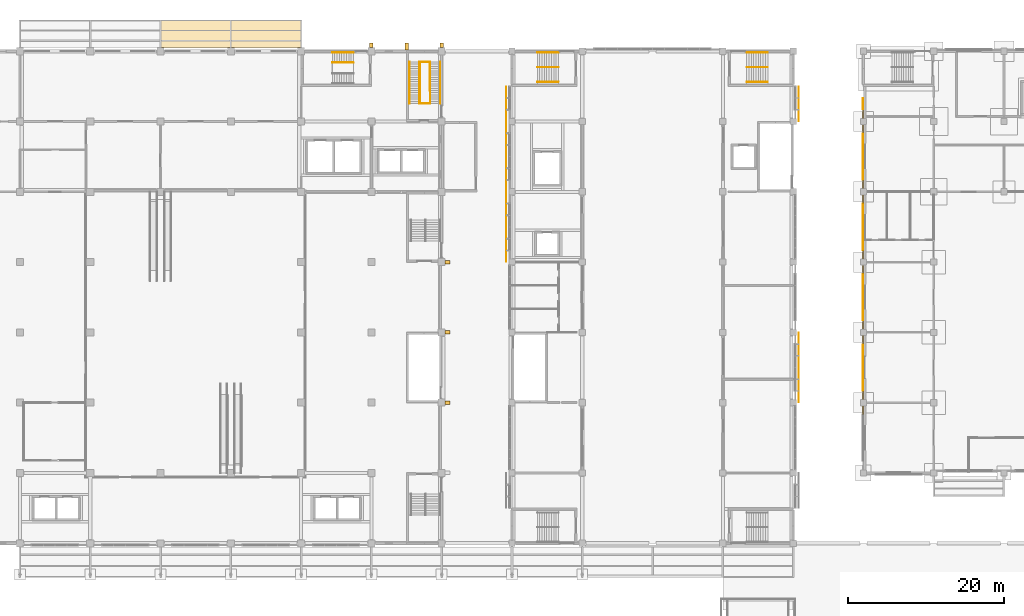
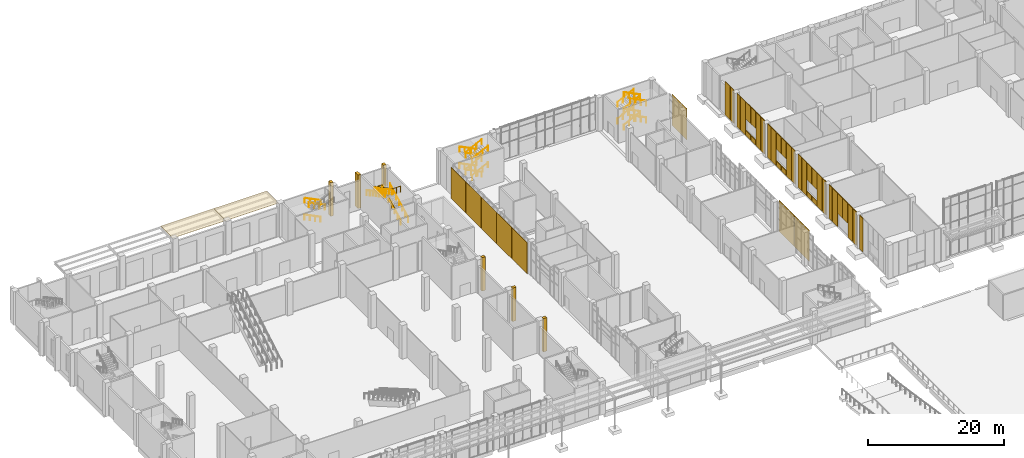
# One storey, part 80 of 86: 49 coverings, 24 railings.
"""IFC4 building model written with IfcOpenShell, lengths in metres."""

import ifcopenshell
import ifcopenshell.guid

model = None  # the IFC model being written
_history = None  # IfcOwnerHistory: only IFC2X3 demands one
_inside = {}  # id of a spatial element -> (the spatial element, [elements in it])
_under = {}  # id of a project, library or spatial element -> (it, [spatial elements below it])
_declared = {}  # id of a project -> (the project, [libraries it declares])
_typed = {}  # id of a type object -> (the type object, [elements of that type])
_made_of = {}  # id of a material, layer set ... -> (it, [elements and type objects made of it])


def new_model(schema):
    """Start an empty IFC model of exactly this schema.

    Asked for "IFC4X3", IfcOpenShell would pick the latest addendum, in which some entities
    have other attributes; the version numbers below select the first issue.
    IFC2X3 requires an IfcOwnerHistory on every rooted entity: one is made here for all.
    """
    global model, _history
    if schema == "IFC4X3":
        model = ifcopenshell.file(schema_version=(4, 3, 0, 0))
    else:
        model = ifcopenshell.file(schema=schema)
    _inside.clear()
    _under.clear()
    _declared.clear()
    _typed.clear()
    _made_of.clear()
    _history = None
    if model.schema == "IFC2X3":
        org = make("IfcOrganization", Name="unknown")
        user = make(
            "IfcPersonAndOrganization",
            ThePerson=make("IfcPerson", FamilyName="unknown"),
            TheOrganization=org,
        )
        app = make(
            "IfcApplication",
            ApplicationDeveloper=org,
            Version="unknown",
            ApplicationFullName="unknown",
            ApplicationIdentifier="unknown",
        )
        _history = make(
            "IfcOwnerHistory",
            OwningUser=user,
            OwningApplication=app,
            ChangeAction="ADDED",
            CreationDate=0,
        )
    return model


def make(cls, **values):
    """One entity of the class cls with the attributes given. An attribute that is None is left unset."""
    return model.create_entity(
        cls, **{name: value for name, value in values.items() if value is not None}
    )


def rooted(cls, **values):
    """An entity with a GlobalId (a new one), such as an element, a storey or a relation."""
    return make(cls, GlobalId=ifcopenshell.guid.new(), OwnerHistory=_history, **values)


def si_unit(unit_type, name, prefix=None):
    """IfcSIUnit, for example si_unit("LENGTHUNIT", "METRE", prefix="MILLI")."""
    return make("IfcSIUnit", UnitType=unit_type, Prefix=prefix, Name=name)


def assignment(units):
    """IfcUnitAssignment: the units of a project."""
    return None if units is None else make("IfcUnitAssignment", Units=units)


def point(xyz):
    """IfcCartesianPoint."""
    return None if xyz is None else make("IfcCartesianPoint", Coordinates=xyz)


def direction(xyz):
    """IfcDirection."""
    return None if xyz is None else make("IfcDirection", DirectionRatios=xyz)


def frame(location, z_axis=None, x_axis=None):
    """IfcAxis2Placement3D, a coordinate frame: its origin and axes. An axis left out is left unset."""
    return make(
        "IfcAxis2Placement3D",
        Location=point(location),
        Axis=direction(z_axis),
        RefDirection=direction(x_axis),
    )


def frame_2d(location, x_axis=None):
    """IfcAxis2Placement2D, a coordinate frame in the plane: its origin and x axis."""
    return make(
        "IfcAxis2Placement2D", Location=point(location), RefDirection=direction(x_axis)
    )


def origin():
    """The frame at (0, 0, 0) with its axes left unset."""
    return frame((0.0, 0.0, 0.0))


def origin_2d():
    """The frame at (0, 0) in the plane with its x axis left unset."""
    return frame_2d((0.0, 0.0))


def place(relative_to, where):
    """IfcLocalPlacement: puts the frame where relative to a parent placement (None: the world)."""
    return make(
        "IfcLocalPlacement", PlacementRelTo=relative_to, RelativePlacement=where
    )


def context(
    kind, dimensions, precision=None, world=None, true_north=None, identifier=None
):
    """IfcGeometricRepresentationContext, for example the 3D "Model" context."""
    return make(
        "IfcGeometricRepresentationContext",
        ContextIdentifier=identifier,
        ContextType=kind,
        CoordinateSpaceDimension=dimensions,
        Precision=precision,
        WorldCoordinateSystem=world,
        TrueNorth=true_north,
    )


def subcontext(parent, identifier, kind, view, scale=None):
    """IfcGeometricRepresentationSubContext, for example "Body" below "Model"."""
    return make(
        "IfcGeometricRepresentationSubContext",
        ContextIdentifier=identifier,
        ContextType=kind,
        ParentContext=parent,
        TargetScale=scale,
        TargetView=view,
    )


def project(units=None, contexts=None):
    """IfcProject with its units and contexts."""
    return rooted(
        "IfcProject",
        Name="project",
        RepresentationContexts=contexts,
        UnitsInContext=assignment(units),
    )


def spatial(cls, under=None, at=None, **own):
    """A site, building, storey or space (cls), placed at a placement, below another one or the project."""
    s = rooted(cls, ObjectPlacement=at, **own)
    if under is not None:
        _under.setdefault(under.id(), (under, []))[1].append(s)
    return s


def profile(cls, at=None, kind="AREA", **sizes):
    """A parametric profile (cls). Its sizes go by their IFC names, for example OverallWidth=200.0."""
    return make(cls, ProfileType=kind, Position=at, **sizes)


def rectangle(**sizes):
    """IfcRectangleProfileDef."""
    return profile("IfcRectangleProfileDef", **sizes)


def circle(**sizes):
    """IfcCircleProfileDef."""
    return profile("IfcCircleProfileDef", **sizes)


def extrude(swept, where, along, depth):
    """IfcExtrudedAreaSolid: the profile swept, set in the frame where, extruded along a direction by depth."""
    return make(
        "IfcExtrudedAreaSolid",
        SweptArea=swept,
        Position=where,
        ExtrudedDirection=direction(along),
        Depth=depth,
    )


def shape(context_of_items, identifier, shape_type, items):
    """IfcShapeRepresentation: the items that make up one representation, for example the "Body"."""
    return make(
        "IfcShapeRepresentation",
        ContextOfItems=context_of_items,
        RepresentationIdentifier=identifier,
        RepresentationType=shape_type,
        Items=items,
    )


def material(Name=None, Category=None):
    """IfcMaterial."""
    return make("IfcMaterial", Name=Name, Category=Category)


def layer(
    of_material, thickness, ventilated=None, Name=None, Category=None, Priority=None
):
    """IfcMaterialLayer: one layer of a wall or slab, of a material (None: an air gap)."""
    return make(
        "IfcMaterialLayer",
        Material=of_material,
        LayerThickness=thickness,
        IsVentilated=ventilated,
        Name=Name,
        Category=Category,
        Priority=Priority,
    )


def layer_set(layers, Name=None):
    """IfcMaterialLayerSet."""
    return make("IfcMaterialLayerSet", MaterialLayers=layers, LayerSetName=Name)


def made_of(thing, what):
    """Note that an element or type object is made of a material, layer set ...; save() writes the relation."""
    if what is not None:
        _made_of.setdefault(what.id(), (what, []))[1].append(thing)
    return thing


def type_object(cls, material=None, **own):
    """A type object (cls), such as IfcWallType, which elements share."""
    return made_of(rooted(cls, **own), material)


def element(
    cls,
    number,
    at=None,
    inside=None,
    cuts=None,
    type_object=None,
    material=None,
    context=None,
    identifier="Body",
    shape_type=None,
    held_by="IfcProductDefinitionShape",
    body=None,
    shapes=None,
    **own,
):
    """One element of the class cls, such as IfcWall. Its Tag is "e" and its number.

    at: its placement. inside: the storey or other place that contains it. cuts: it is an
    opening in that element (IfcRelVoidsElement). A single representation is given by context,
    identifier, shape_type and body (its items); several are given by shapes. held_by: the class
    of the entity that holds the representations. save() writes the other relations.
    """
    e = rooted(cls, Tag="e%d" % number, ObjectPlacement=at, **own)
    if body is not None:
        shapes = [shape(context, identifier, shape_type, body)]
    if shapes is not None:
        e.Representation = make(held_by, Representations=shapes)
    if inside is not None:
        _inside.setdefault(inside.id(), (inside, []))[1].append(e)
    if cuts is not None:
        rooted(
            "IfcRelVoidsElement", RelatingBuildingElement=cuts, RelatedOpeningElement=e
        )
    if type_object is not None:
        _typed.setdefault(type_object.id(), (type_object, []))[1].append(e)
    return made_of(e, material)


def aggregate(whole, parts):
    """IfcRelAggregates: a whole, such as a stair, and the parts it consists of."""
    return rooted("IfcRelAggregates", RelatingObject=whole, RelatedObjects=parts)


def save(model, path):
    """Write the relations noted so far, then the file.

    IfcRelAggregates (storeys below a building ...), IfcRelContainedInSpatialStructure (elements
    in a storey), IfcRelDefinesByType, IfcRelAssociatesMaterial and IfcRelDeclares: one each for
    every whole, place, type object, material and project.
    """
    for whole, parts in _under.values():
        aggregate(whole, parts)
    for where, things in _inside.values():
        rooted(
            "IfcRelContainedInSpatialStructure",
            RelatedElements=things,
            RelatingStructure=where,
        )
    for kind, things in _typed.values():
        rooted("IfcRelDefinesByType", RelatedObjects=things, RelatingType=kind)
    for what, things in _made_of.values():
        rooted("IfcRelAssociatesMaterial", RelatedObjects=things, RelatingMaterial=what)
    for by, libraries in _declared.values():
        rooted("IfcRelDeclares", RelatingContext=by, RelatedDefinitions=libraries)
    model.write(path)


model = new_model("IFC4")

# Units and contexts
model_context = context("Model", 3, precision=1e-05, world=origin(), true_north=direction((0.0, 1.0)))
body_context = subcontext(model_context, "Body", "Model", "MODEL_VIEW")
ifc_project = project(units=[si_unit("LENGTHUNIT", "METRE"), si_unit("AREAUNIT", "SQUARE_METRE"), si_unit("VOLUMEUNIT", "CUBIC_METRE"), si_unit("PLANEANGLEUNIT", "RADIAN"), si_unit("MASSUNIT", "GRAM", prefix="KILO")], contexts=[model_context])

# Site, building, storey
site_placement = place(None, origin())
site = spatial("IfcSite", under=ifc_project, at=site_placement, CompositionType="ELEMENT")
building_placement = place(site_placement, origin())
building = spatial("IfcBuilding", under=site, at=building_placement, Name="Guidao Yard Department Store", CompositionType="ELEMENT")
storey_placement = place(building_placement, origin())
storey = spatial("IfcBuildingStorey", under=building, at=storey_placement, Name="L00", CompositionType="ELEMENT", Elevation=0.0)

# Coverings
ifc_material_1 = material(Name="Steel Q235", Category="steel")
ifc_layer_1 = layer(ifc_material_1, 0.06005859375)
ifc_layer_set_1 = layer_set([ifc_layer_1], Name="Canopy roofing panel CR1 galvanised insulated metal deck 60")
covering_type_1 = type_object("IfcCoveringType", Name="Canopy roofing panel CR1 galvanised insulated metal deck 60", PredefinedType="ROOFING", material=ifc_layer_set_1)
for number, where, z_axis, x_axis, name in (
    (1, (31.5, 110.22509765625, 5.449951171875), (0.0, 0.0, 1.0), (1.0, 0.0, 0.0), "Dock canopy covering 3.1"),
    (2, (40.5, 110.22509765625, 5.449951171875), (0.0, 0.0, 1.0), (1.0, 0.0, 0.0), "Dock canopy covering 4.1"),
):
    element("IfcCovering", number, at=place(storey_placement, frame(where, z_axis=z_axis, x_axis=x_axis)), inside=storey, type_object=covering_type_1, Name=name, PredefinedType="ROOFING", context=body_context, shape_type="SweptSolid", body=[
        extrude(rectangle(XDim=8.989990234375, YDim=3.550048828125, at=origin_2d()), origin(), (0.0, 0.0, 1.0), 0.06005859375),
    ])
ifc_material_2 = material(Name="Clinker brick", Category="masonry")
ifc_layer_2 = layer(ifc_material_2, 0.10009765625)
ifc_layer_set_2 = layer_set([ifc_layer_2], Name="Clinker brick panel BR1 on rainscreen")
covering_type_2 = type_object("IfcCoveringType", Name="Clinker brick panel BR1 on rainscreen", PredefinedType="CLADDING", material=ifc_layer_set_2)
for number, where, z_axis, x_axis, name in (
    (3, (116.949951171875, 62.050048828125, 0.0), (0.0, 0.0, 1.0), (0.0, 1.0, 0.0), "Clinker brick panel"),
    (4, (116.949951171875, 63.949951171875, 0.0), (0.0, 0.0, 1.0), (0.0, 1.0, 0.0), "Clinker brick panel"),
):
    element("IfcCovering", number, at=place(storey_placement, frame(where, z_axis=z_axis, x_axis=x_axis)), inside=storey, type_object=covering_type_2, Name=name, PredefinedType="CLADDING", context=body_context, shape_type="SweptSolid", body=[
        extrude(rectangle(XDim=1.0, YDim=0.10009765625, at=origin_2d()), origin(), (0.0, 0.0, 1.0), 6.0),
    ])
covering_1_placement = place(storey_placement, frame((116.949951171875, 65.25, 0.0), z_axis=(0.0, 0.0, 1.0), x_axis=(0.0, 1.0, 0.0)))
element("IfcCovering", 5, at=covering_1_placement, inside=storey, type_object=covering_type_2, Name="Clinker brick panel", PredefinedType="CLADDING", context=body_context, shape_type="SweptSolid", body=[
    extrude(rectangle(XDim=1.39990234375, YDim=0.10009765625, at=origin_2d()), origin(), (0.0, 0.0, 1.0), 6.0),
])
for number, where, z_axis, x_axis, name in (
    (6, (116.949951171875, 66.75, 2.39990234375), (0.0, 0.0, 1.0), (0.0, 1.0, 0.0), "Clinker brick panel"),
    (7, (116.949951171875, 68.25, 2.39990234375), (0.0, 0.0, 1.0), (0.0, 1.0, 0.0), "Clinker brick panel"),
):
    element("IfcCovering", number, at=place(storey_placement, frame(where, z_axis=z_axis, x_axis=x_axis)), inside=storey, type_object=covering_type_2, Name=name, PredefinedType="CLADDING", context=body_context, shape_type="SweptSolid", body=[
        extrude(rectangle(XDim=1.39990234375, YDim=0.10009765625, at=origin_2d()), origin(), (0.0, 0.0, 1.0), 3.60009765625),
    ])
covering_2_placement = place(storey_placement, frame((116.949951171875, 69.75, 0.0), z_axis=(0.0, 0.0, 1.0), x_axis=(0.0, 1.0, 0.0)))
element("IfcCovering", 8, at=covering_2_placement, inside=storey, type_object=covering_type_2, Name="Clinker brick panel", PredefinedType="CLADDING", context=body_context, shape_type="SweptSolid", body=[
    extrude(rectangle(XDim=1.39990234375, YDim=0.10009765625, at=origin_2d()), origin(), (0.0, 0.0, 1.0), 6.0),
])
for number, where, z_axis, x_axis, name in (
    (9, (116.949951171875, 71.050048828125, 0.0), (0.0, 0.0, 1.0), (0.0, 1.0, 0.0), "Clinker brick panel"),
    (10, (116.949951171875, 72.949951171875, 0.0), (0.0, 0.0, 1.0), (0.0, 1.0, 0.0), "Clinker brick panel"),
):
    element("IfcCovering", number, at=place(storey_placement, frame(where, z_axis=z_axis, x_axis=x_axis)), inside=storey, type_object=covering_type_2, Name=name, PredefinedType="CLADDING", context=body_context, shape_type="SweptSolid", body=[
        extrude(rectangle(XDim=1.0, YDim=0.10009765625, at=origin_2d()), origin(), (0.0, 0.0, 1.0), 6.0),
    ])
covering_3_placement = place(storey_placement, frame((116.949951171875, 74.25, 0.0), z_axis=(0.0, 0.0, 1.0), x_axis=(0.0, 1.0, 0.0)))
element("IfcCovering", 11, at=covering_3_placement, inside=storey, type_object=covering_type_2, Name="Clinker brick panel", PredefinedType="CLADDING", context=body_context, shape_type="SweptSolid", body=[
    extrude(rectangle(XDim=1.39990234375, YDim=0.10009765625, at=origin_2d()), origin(), (0.0, 0.0, 1.0), 6.0),
])
covering_4_placement = place(storey_placement, frame((116.949951171875, 75.75, 0.0), z_axis=(0.0, 0.0, 1.0), x_axis=(0.0, 1.0, 0.0)))
element("IfcCovering", 12, at=covering_4_placement, inside=storey, type_object=covering_type_2, Name="Clinker brick panel", PredefinedType="CLADDING", context=body_context, shape_type="SweptSolid", body=[
    extrude(rectangle(XDim=1.39990234375, YDim=0.10009765625, at=origin_2d()), origin(), (0.0, 0.0, 1.0), 0.89990234375),
])
covering_5_placement = place(storey_placement, frame((116.949951171875, 75.75, 3.0), z_axis=(0.0, 0.0, 1.0), x_axis=(0.0, 1.0, 0.0)))
element("IfcCovering", 13, at=covering_5_placement, inside=storey, type_object=covering_type_2, Name="Clinker brick panel", PredefinedType="CLADDING", context=body_context, shape_type="SweptSolid", body=[
    extrude(rectangle(XDim=1.39990234375, YDim=0.10009765625, at=origin_2d()), origin(), (0.0, 0.0, 1.0), 3.0),
])
covering_6_placement = place(storey_placement, frame((116.949951171875, 77.25, 0.0), z_axis=(0.0, 0.0, 1.0), x_axis=(0.0, 1.0, 0.0)))
element("IfcCovering", 14, at=covering_6_placement, inside=storey, type_object=covering_type_2, Name="Clinker brick panel", PredefinedType="CLADDING", context=body_context, shape_type="SweptSolid", body=[
    extrude(rectangle(XDim=1.39990234375, YDim=0.10009765625, at=origin_2d()), origin(), (0.0, 0.0, 1.0), 0.89990234375),
])
covering_7_placement = place(storey_placement, frame((116.949951171875, 77.25, 3.0), z_axis=(0.0, 0.0, 1.0), x_axis=(0.0, 1.0, 0.0)))
element("IfcCovering", 15, at=covering_7_placement, inside=storey, type_object=covering_type_2, Name="Clinker brick panel", PredefinedType="CLADDING", context=body_context, shape_type="SweptSolid", body=[
    extrude(rectangle(XDim=1.39990234375, YDim=0.10009765625, at=origin_2d()), origin(), (0.0, 0.0, 1.0), 3.0),
])
covering_8_placement = place(storey_placement, frame((116.949951171875, 78.75, 0.0), z_axis=(0.0, 0.0, 1.0), x_axis=(0.0, 1.0, 0.0)))
element("IfcCovering", 16, at=covering_8_placement, inside=storey, type_object=covering_type_2, Name="Clinker brick panel", PredefinedType="CLADDING", context=body_context, shape_type="SweptSolid", body=[
    extrude(rectangle(XDim=1.39990234375, YDim=0.10009765625, at=origin_2d()), origin(), (0.0, 0.0, 1.0), 6.0),
])
for number, where, z_axis, x_axis, name in (
    (17, (116.949951171875, 80.050048828125, 0.0), (0.0, 0.0, 1.0), (0.0, 1.0, 0.0), "Clinker brick panel"),
    (18, (116.949951171875, 81.949951171875, 0.0), (0.0, 0.0, 1.0), (0.0, 1.0, 0.0), "Clinker brick panel"),
):
    element("IfcCovering", number, at=place(storey_placement, frame(where, z_axis=z_axis, x_axis=x_axis)), inside=storey, type_object=covering_type_2, Name=name, PredefinedType="CLADDING", context=body_context, shape_type="SweptSolid", body=[
        extrude(rectangle(XDim=1.0, YDim=0.10009765625, at=origin_2d()), origin(), (0.0, 0.0, 1.0), 6.0),
    ])
covering_9_placement = place(storey_placement, frame((116.949951171875, 83.25, 0.0), z_axis=(0.0, 0.0, 1.0), x_axis=(0.0, 1.0, 0.0)))
element("IfcCovering", 19, at=covering_9_placement, inside=storey, type_object=covering_type_2, Name="Clinker brick panel", PredefinedType="CLADDING", context=body_context, shape_type="SweptSolid", body=[
    extrude(rectangle(XDim=1.39990234375, YDim=0.10009765625, at=origin_2d()), origin(), (0.0, 0.0, 1.0), 6.0),
])
covering_10_placement = place(storey_placement, frame((116.949951171875, 84.75, 0.0), z_axis=(0.0, 0.0, 1.0), x_axis=(0.0, 1.0, 0.0)))
element("IfcCovering", 20, at=covering_10_placement, inside=storey, type_object=covering_type_2, Name="Clinker brick panel", PredefinedType="CLADDING", context=body_context, shape_type="SweptSolid", body=[
    extrude(rectangle(XDim=1.39990234375, YDim=0.10009765625, at=origin_2d()), origin(), (0.0, 0.0, 1.0), 0.89990234375),
])
covering_11_placement = place(storey_placement, frame((116.949951171875, 84.75, 3.0), z_axis=(0.0, 0.0, 1.0), x_axis=(0.0, 1.0, 0.0)))
element("IfcCovering", 21, at=covering_11_placement, inside=storey, type_object=covering_type_2, Name="Clinker brick panel", PredefinedType="CLADDING", context=body_context, shape_type="SweptSolid", body=[
    extrude(rectangle(XDim=1.39990234375, YDim=0.10009765625, at=origin_2d()), origin(), (0.0, 0.0, 1.0), 3.0),
])
covering_12_placement = place(storey_placement, frame((116.949951171875, 86.25, 0.0), z_axis=(0.0, 0.0, 1.0), x_axis=(0.0, 1.0, 0.0)))
element("IfcCovering", 22, at=covering_12_placement, inside=storey, type_object=covering_type_2, Name="Clinker brick panel", PredefinedType="CLADDING", context=body_context, shape_type="SweptSolid", body=[
    extrude(rectangle(XDim=1.39990234375, YDim=0.10009765625, at=origin_2d()), origin(), (0.0, 0.0, 1.0), 0.89990234375),
])
covering_13_placement = place(storey_placement, frame((116.949951171875, 86.25, 3.0), z_axis=(0.0, 0.0, 1.0), x_axis=(0.0, 1.0, 0.0)))
element("IfcCovering", 23, at=covering_13_placement, inside=storey, type_object=covering_type_2, Name="Clinker brick panel", PredefinedType="CLADDING", context=body_context, shape_type="SweptSolid", body=[
    extrude(rectangle(XDim=1.39990234375, YDim=0.10009765625, at=origin_2d()), origin(), (0.0, 0.0, 1.0), 3.0),
])
covering_14_placement = place(storey_placement, frame((116.949951171875, 87.75, 0.0), z_axis=(0.0, 0.0, 1.0), x_axis=(0.0, 1.0, 0.0)))
element("IfcCovering", 24, at=covering_14_placement, inside=storey, type_object=covering_type_2, Name="Clinker brick panel", PredefinedType="CLADDING", context=body_context, shape_type="SweptSolid", body=[
    extrude(rectangle(XDim=1.39990234375, YDim=0.10009765625, at=origin_2d()), origin(), (0.0, 0.0, 1.0), 6.0),
])
for number, where, z_axis, x_axis, name in (
    (25, (116.949951171875, 89.050048828125, 0.0), (0.0, 0.0, 1.0), (0.0, 1.0, 0.0), "Clinker brick panel"),
    (26, (116.949951171875, 90.949951171875, 0.0), (0.0, 0.0, 1.0), (0.0, 1.0, 0.0), "Clinker brick panel"),
):
    element("IfcCovering", number, at=place(storey_placement, frame(where, z_axis=z_axis, x_axis=x_axis)), inside=storey, type_object=covering_type_2, Name=name, PredefinedType="CLADDING", context=body_context, shape_type="SweptSolid", body=[
        extrude(rectangle(XDim=1.0, YDim=0.10009765625, at=origin_2d()), origin(), (0.0, 0.0, 1.0), 6.0),
    ])
covering_15_placement = place(storey_placement, frame((116.949951171875, 92.25, 0.0), z_axis=(0.0, 0.0, 1.0), x_axis=(0.0, 1.0, 0.0)))
element("IfcCovering", 27, at=covering_15_placement, inside=storey, type_object=covering_type_2, Name="Clinker brick panel", PredefinedType="CLADDING", context=body_context, shape_type="SweptSolid", body=[
    extrude(rectangle(XDim=1.39990234375, YDim=0.10009765625, at=origin_2d()), origin(), (0.0, 0.0, 1.0), 6.0),
])
covering_16_placement = place(storey_placement, frame((116.949951171875, 93.75, 0.0), z_axis=(0.0, 0.0, 1.0), x_axis=(0.0, 1.0, 0.0)))
element("IfcCovering", 28, at=covering_16_placement, inside=storey, type_object=covering_type_2, Name="Clinker brick panel", PredefinedType="CLADDING", context=body_context, shape_type="SweptSolid", body=[
    extrude(rectangle(XDim=1.39990234375, YDim=0.10009765625, at=origin_2d()), origin(), (0.0, 0.0, 1.0), 0.89990234375),
])
covering_17_placement = place(storey_placement, frame((116.949951171875, 93.75, 3.0), z_axis=(0.0, 0.0, 1.0), x_axis=(0.0, 1.0, 0.0)))
element("IfcCovering", 29, at=covering_17_placement, inside=storey, type_object=covering_type_2, Name="Clinker brick panel", PredefinedType="CLADDING", context=body_context, shape_type="SweptSolid", body=[
    extrude(rectangle(XDim=1.39990234375, YDim=0.10009765625, at=origin_2d()), origin(), (0.0, 0.0, 1.0), 3.0),
])
covering_18_placement = place(storey_placement, frame((116.949951171875, 95.25, 0.0), z_axis=(0.0, 0.0, 1.0), x_axis=(0.0, 1.0, 0.0)))
element("IfcCovering", 30, at=covering_18_placement, inside=storey, type_object=covering_type_2, Name="Clinker brick panel", PredefinedType="CLADDING", context=body_context, shape_type="SweptSolid", body=[
    extrude(rectangle(XDim=1.39990234375, YDim=0.10009765625, at=origin_2d()), origin(), (0.0, 0.0, 1.0), 0.89990234375),
])
covering_19_placement = place(storey_placement, frame((116.949951171875, 95.25, 3.0), z_axis=(0.0, 0.0, 1.0), x_axis=(0.0, 1.0, 0.0)))
element("IfcCovering", 31, at=covering_19_placement, inside=storey, type_object=covering_type_2, Name="Clinker brick panel", PredefinedType="CLADDING", context=body_context, shape_type="SweptSolid", body=[
    extrude(rectangle(XDim=1.39990234375, YDim=0.10009765625, at=origin_2d()), origin(), (0.0, 0.0, 1.0), 3.0),
])
covering_20_placement = place(storey_placement, frame((116.949951171875, 96.75, 0.0), z_axis=(0.0, 0.0, 1.0), x_axis=(0.0, 1.0, 0.0)))
element("IfcCovering", 32, at=covering_20_placement, inside=storey, type_object=covering_type_2, Name="Clinker brick panel", PredefinedType="CLADDING", context=body_context, shape_type="SweptSolid", body=[
    extrude(rectangle(XDim=1.39990234375, YDim=0.10009765625, at=origin_2d()), origin(), (0.0, 0.0, 1.0), 6.0),
])
for number, where, z_axis, x_axis, name in (
    (33, (116.949951171875, 98.050048828125, 0.0), (0.0, 0.0, 1.0), (0.0, 1.0, 0.0), "Clinker brick panel"),
    (34, (116.949951171875, 99.949951171875, 0.0), (0.0, 0.0, 1.0), (0.0, 1.0, 0.0), "Clinker brick panel"),
):
    element("IfcCovering", number, at=place(storey_placement, frame(where, z_axis=z_axis, x_axis=x_axis)), inside=storey, type_object=covering_type_2, Name=name, PredefinedType="CLADDING", context=body_context, shape_type="SweptSolid", body=[
        extrude(rectangle(XDim=1.0, YDim=0.10009765625, at=origin_2d()), origin(), (0.0, 0.0, 1.0), 6.0),
    ])
covering_21_placement = place(storey_placement, frame((116.949951171875, 101.25, 0.0), z_axis=(0.0, 0.0, 1.0), x_axis=(0.0, 1.0, 0.0)))
element("IfcCovering", 35, at=covering_21_placement, inside=storey, type_object=covering_type_2, Name="Clinker brick panel", PredefinedType="CLADDING", context=body_context, shape_type="SweptSolid", body=[
    extrude(rectangle(XDim=1.39990234375, YDim=0.10009765625, at=origin_2d()), origin(), (0.0, 0.0, 1.0), 6.0),
])

# Railings
ifc_material_3 = material(Name="Steel Q235", Category="steel")
railing_type_1 = type_object("IfcRailingType", Name="Guard steel balustrade 1100", PredefinedType="GUARDRAIL", material=ifc_material_3)
railing_placement = place(storey_placement, frame((61.47509765625, 102.97998046875, 1.050048828125)))
element("IfcRailing", 36, at=railing_placement, inside=storey, type_object=railing_type_1, Name="Stair A6 guard L00 2", PredefinedType="GUARDRAIL", context=body_context, shape_type="SweptSolid", body=[
    extrude(circle(Radius=0.02392578125, at=origin_2d()), frame((0.0, 0.0, 1.076171875), z_axis=(0.0, 0.881492274372, 0.472198443689), x_axis=(-1.0, 0.0, 0.0)), (0.0, 0.0, 1.0), 4.12939453125),
    extrude(circle(Radius=0.02392578125, at=origin_2d()), frame((0.0, 3.64013671875, 3.02587890625), z_axis=(-1.0, 0.0, 0.0), x_axis=(0.0, -1.0, 0.0)), (0.0, 0.0, 1.0), 1.275146484375),
    extrude(circle(Radius=0.02392578125, at=origin_2d()), frame((-1.275146484375, 3.64013671875, 3.02587890625), z_axis=(0.0, 0.0, 1.0), x_axis=(1.0, 0.0, 0.0)), (0.0, 0.0, 1.0), 0.14990234375),
    extrude(circle(Radius=0.02392578125, at=origin_2d()), frame((-1.275146484375, 3.64013671875, 3.17578125), z_axis=(0.0, -0.881475760486, 0.472229270245), x_axis=(1.0, 0.0, 0.0)), (0.0, 0.0, 1.0), 6.035400390625),
    extrude(circle(Radius=0.02392578125, at=origin_2d()), frame((-1.275146484375, -1.679931640625, 6.02587890625), z_axis=(1.0, 0.0, 0.0), x_axis=(0.0, 1.0, 0.0)), (0.0, 0.0, 1.0), 1.275146484375),
    extrude(circle(Radius=0.02099609375, at=origin_2d()), origin(), (0.0, 0.0, 1.0), 1.052001953125),
    extrude(circle(Radius=0.02099609375, at=origin_2d()), frame((0.0, 0.91015625, 0.487548828125)), (0.0, 0.0, 1.0), 1.052001953125),
    extrude(circle(Radius=0.02099609375, at=origin_2d()), frame((0.0, 1.820068359375, 0.97509765625)), (0.0, 0.0, 1.0), 1.052001953125),
    extrude(circle(Radius=0.02099609375, at=origin_2d()), frame((0.0, 2.72998046875, 1.46240234375)), (0.0, 0.0, 1.0), 1.052001953125),
    extrude(circle(Radius=0.02099609375, at=origin_2d()), frame((0.0, 3.64013671875, 1.949951171875)), (0.0, 0.0, 1.0), 1.052001953125),
    extrude(circle(Radius=0.02099609375, at=origin_2d()), frame((-0.6376953125, 3.64013671875, 1.949951171875)), (0.0, 0.0, 1.0), 1.052001953125),
    extrude(circle(Radius=0.02099609375, at=origin_2d()), frame((-1.275146484375, 3.64013671875, 1.949951171875)), (0.0, 0.0, 1.0), 1.052001953125),
    extrude(circle(Radius=0.02099609375, at=origin_2d()), frame((-1.275146484375, 3.64013671875, 2.099853515625)), (0.0, 0.0, 1.0), 1.052001953125),
    extrude(circle(Radius=0.02099609375, at=origin_2d()), frame((-1.275146484375, 2.75341796875, 2.574951171875)), (0.0, 0.0, 1.0), 1.052001953125),
    extrude(circle(Radius=0.02099609375, at=origin_2d()), frame((-1.275146484375, 1.86669921875, 3.0498046875)), (0.0, 0.0, 1.0), 1.052001953125),
    extrude(circle(Radius=0.02099609375, at=origin_2d()), frame((-1.275146484375, 0.97998046875, 3.52490234375)), (0.0, 0.0, 1.0), 1.052001953125),
    extrude(circle(Radius=0.02099609375, at=origin_2d()), frame((-1.275146484375, 0.093505859375, 4.0)), (0.0, 0.0, 1.0), 1.052001953125),
    extrude(circle(Radius=0.02099609375, at=origin_2d()), frame((-1.275146484375, -0.793212890625, 4.474853515625)), (0.0, 0.0, 1.0), 1.052001953125),
    extrude(circle(Radius=0.02099609375, at=origin_2d()), frame((-1.275146484375, -1.679931640625, 4.949951171875)), (0.0, 0.0, 1.0), 1.052001953125),
    extrude(circle(Radius=0.02099609375, at=origin_2d()), frame((-0.6376953125, -1.679931640625, 4.949951171875)), (0.0, 0.0, 1.0), 1.052001953125),
    extrude(circle(Radius=0.02099609375, at=origin_2d()), frame((0.0, -1.679931640625, 4.949951171875)), (0.0, 0.0, 1.0), 1.052001953125),
])
ifc_material_4 = material(Name="Steel Q235", Category="steel")
railing_type_2 = type_object("IfcRailingType", Name="Handrail steel tube 48", PredefinedType="HANDRAIL", material=ifc_material_4)
for number, where, name in (
    (37, (62.81494140625, 101.300048828125, 0.14990234375), "Stair A6 hand rail L00 37"),
    (38, (61.534912109375, 101.300048828125, 0.14990234375), "Stair A6 hand rail L00 38"),
):
    element("IfcRailing", number, at=place(storey_placement, frame(where)), inside=storey, type_object=railing_type_2, Name=name, PredefinedType="HANDRAIL", context=body_context, shape_type="SweptSolid", body=[
        extrude(circle(Radius=0.02392578125, at=origin_2d()), frame((0.0, 0.0, 0.8759765625), z_axis=(0.0, 0.881475760486, 0.472229270245), x_axis=(-1.0, 0.0, 0.0)), (0.0, 0.0, 1.0), 6.035400390625),
        extrude(circle(Radius=0.02099609375, at=origin_2d()), origin(), (0.0, 0.0, 1.0), 0.851806640625),
        extrude(circle(Radius=0.02099609375, at=origin_2d()), frame((0.0, 0.88671875, 0.47509765625)), (0.0, 0.0, 1.0), 0.851806640625),
        extrude(circle(Radius=0.02099609375, at=origin_2d()), frame((0.0, 1.7734375, 0.949951171875)), (0.0, 0.0, 1.0), 0.851806640625),
        extrude(circle(Radius=0.02099609375, at=origin_2d()), frame((0.0, 2.66015625, 1.425048828125)), (0.0, 0.0, 1.0), 0.851806640625),
        extrude(circle(Radius=0.02099609375, at=origin_2d()), frame((0.0, 3.546630859375, 1.900146484375)), (0.0, 0.0, 1.0), 0.851806640625),
        extrude(circle(Radius=0.02099609375, at=origin_2d()), frame((0.0, 4.433349609375, 2.375)), (0.0, 0.0, 1.0), 0.851806640625),
        extrude(circle(Radius=0.02099609375, at=origin_2d()), frame((0.0, 5.320068359375, 2.85009765625)), (0.0, 0.0, 1.0), 0.851806640625),
    ])
for number, where, name in (
    (39, (60.139892578125, 106.6201171875, 3.14990234375), "Stair A6 hand rail L00 39"),
    (40, (58.860107421875, 106.6201171875, 3.14990234375), "Stair A6 hand rail L00 40"),
):
    element("IfcRailing", number, at=place(storey_placement, frame(where)), inside=storey, type_object=railing_type_2, Name=name, PredefinedType="HANDRAIL", context=body_context, shape_type="SweptSolid", body=[
        extrude(circle(Radius=0.02392578125, at=origin_2d()), frame((0.0, 0.0, 0.8759765625), z_axis=(0.0, -0.881475760486, 0.472229270245), x_axis=(1.0, 0.0, 0.0)), (0.0, 0.0, 1.0), 6.035400390625),
        extrude(circle(Radius=0.02099609375, at=origin_2d()), origin(), (0.0, 0.0, 1.0), 0.851806640625),
        extrude(circle(Radius=0.02099609375, at=origin_2d()), frame((0.0, -0.88671875, 0.47509765625)), (0.0, 0.0, 1.0), 0.851806640625),
        extrude(circle(Radius=0.02099609375, at=origin_2d()), frame((0.0, -1.7734375, 0.949951171875)), (0.0, 0.0, 1.0), 0.851806640625),
        extrude(circle(Radius=0.02099609375, at=origin_2d()), frame((0.0, -2.66015625, 1.425048828125)), (0.0, 0.0, 1.0), 0.851806640625),
        extrude(circle(Radius=0.02099609375, at=origin_2d()), frame((0.0, -3.546630859375, 1.900146484375)), (0.0, 0.0, 1.0), 0.851806640625),
        extrude(circle(Radius=0.02099609375, at=origin_2d()), frame((0.0, -4.433349609375, 2.375)), (0.0, 0.0, 1.0), 0.851806640625),
        extrude(circle(Radius=0.02099609375, at=origin_2d()), frame((0.0, -5.320068359375, 2.85009765625)), (0.0, 0.0, 1.0), 0.851806640625),
    ])
for number, where, name in (
    (41, (51.699951171875, 107.81494140625, 0.14990234375), "Stair A7 hand rail L00 41"),
    (42, (51.699951171875, 107.81494140625, 3.14990234375), "Stair A7 hand rail L00 45"),
    (43, (51.699951171875, 106.534912109375, 3.14990234375), "Stair A7 hand rail L00 46"),
    (44, (77.949951171875, 107.81494140625, 0.14990234375), "Stair G2 hand rail L00 89"),
    (45, (77.949951171875, 105.949951171875, 0.14990234375), "Stair G2 hand rail L00 90"),
):
    element("IfcRailing", number, at=place(storey_placement, frame(where)), inside=storey, type_object=railing_type_2, Name=name, PredefinedType="HANDRAIL", context=body_context, shape_type="SweptSolid", body=[
        extrude(circle(Radius=0.02392578125, at=origin_2d()), frame((0.0, 0.0, 0.8759765625), z_axis=(-0.894411015155, 0.0, 0.447245945728), x_axis=(0.0, -1.0, 0.0)), (0.0, 0.0, 1.0), 3.018798828125),
        extrude(circle(Radius=0.02099609375, at=origin_2d()), origin(), (0.0, 0.0, 1.0), 0.851806640625),
        extrude(circle(Radius=0.02099609375, at=origin_2d()), frame((-0.89990234375, 0.0, 0.449951171875)), (0.0, 0.0, 1.0), 0.851806640625),
        extrude(circle(Radius=0.02099609375, at=origin_2d()), frame((-1.800048828125, 0.0, 0.900146484375)), (0.0, 0.0, 1.0), 0.851806640625),
        extrude(circle(Radius=0.02099609375, at=origin_2d()), frame((-2.699951171875, 0.0, 1.35009765625)), (0.0, 0.0, 1.0), 0.851806640625),
    ])
for number, where, name in (
    (46, (75.25, 104.0849609375, 1.64990234375), "Stair G2 hand rail L00 91"),
    (47, (75.25, 105.949951171875, 1.64990234375), "Stair G2 hand rail L00 92"),
):
    element("IfcRailing", number, at=place(storey_placement, frame(where)), inside=storey, type_object=railing_type_2, Name=name, PredefinedType="HANDRAIL", context=body_context, shape_type="SweptSolid", body=[
        extrude(circle(Radius=0.02392578125, at=origin_2d()), frame((0.0, 0.0, 0.8759765625), z_axis=(0.894411015155, 0.0, 0.447245945728), x_axis=(0.0, 1.0, 0.0)), (0.0, 0.0, 1.0), 3.018798828125),
        extrude(circle(Radius=0.02099609375, at=origin_2d()), origin(), (0.0, 0.0, 1.0), 0.851806640625),
        extrude(circle(Radius=0.02099609375, at=origin_2d()), frame((0.89990234375, 0.0, 0.449951171875)), (0.0, 0.0, 1.0), 0.851806640625),
        extrude(circle(Radius=0.02099609375, at=origin_2d()), frame((1.800048828125, 0.0, 0.900146484375)), (0.0, 0.0, 1.0), 0.851806640625),
        extrude(circle(Radius=0.02099609375, at=origin_2d()), frame((2.699951171875, 0.0, 1.35009765625)), (0.0, 0.0, 1.0), 0.851806640625),
    ])
for number, where, name in (
    (48, (77.949951171875, 107.81494140625, 3.14990234375), "Stair G2 hand rail L00 93"),
    (49, (77.949951171875, 105.949951171875, 3.14990234375), "Stair G2 hand rail L00 94"),
):
    element("IfcRailing", number, at=place(storey_placement, frame(where)), inside=storey, type_object=railing_type_2, Name=name, PredefinedType="HANDRAIL", context=body_context, shape_type="SweptSolid", body=[
        extrude(circle(Radius=0.02392578125, at=origin_2d()), frame((0.0, 0.0, 0.8759765625), z_axis=(-0.894411015155, 0.0, 0.447245945728), x_axis=(0.0, -1.0, 0.0)), (0.0, 0.0, 1.0), 3.018798828125),
        extrude(circle(Radius=0.02099609375, at=origin_2d()), origin(), (0.0, 0.0, 1.0), 0.851806640625),
        extrude(circle(Radius=0.02099609375, at=origin_2d()), frame((-0.89990234375, 0.0, 0.449951171875)), (0.0, 0.0, 1.0), 0.851806640625),
        extrude(circle(Radius=0.02099609375, at=origin_2d()), frame((-1.800048828125, 0.0, 0.900146484375)), (0.0, 0.0, 1.0), 0.851806640625),
        extrude(circle(Radius=0.02099609375, at=origin_2d()), frame((-2.699951171875, 0.0, 1.35009765625)), (0.0, 0.0, 1.0), 0.851806640625),
    ])
for number, where, name in (
    (50, (75.25, 104.0849609375, 4.64990234375), "Stair G2 hand rail L00 95"),
    (51, (75.25, 105.949951171875, 4.64990234375), "Stair G2 hand rail L00 96"),
    (52, (102.050048828125, 107.81494140625, 0.14990234375), "Stair G4 hand rail L00 105"),
    (53, (102.050048828125, 105.949951171875, 0.14990234375), "Stair G4 hand rail L00 106"),
):
    element("IfcRailing", number, at=place(storey_placement, frame(where)), inside=storey, type_object=railing_type_2, Name=name, PredefinedType="HANDRAIL", context=body_context, shape_type="SweptSolid", body=[
        extrude(circle(Radius=0.02392578125, at=origin_2d()), frame((0.0, 0.0, 0.8759765625), z_axis=(0.894411015155, 0.0, 0.447245945728), x_axis=(0.0, 1.0, 0.0)), (0.0, 0.0, 1.0), 3.018798828125),
        extrude(circle(Radius=0.02099609375, at=origin_2d()), origin(), (0.0, 0.0, 1.0), 0.851806640625),
        extrude(circle(Radius=0.02099609375, at=origin_2d()), frame((0.89990234375, 0.0, 0.449951171875)), (0.0, 0.0, 1.0), 0.851806640625),
        extrude(circle(Radius=0.02099609375, at=origin_2d()), frame((1.800048828125, 0.0, 0.900146484375)), (0.0, 0.0, 1.0), 0.851806640625),
        extrude(circle(Radius=0.02099609375, at=origin_2d()), frame((2.699951171875, 0.0, 1.35009765625)), (0.0, 0.0, 1.0), 0.851806640625),
    ])
for number, where, name in (
    (54, (104.75, 104.0849609375, 1.64990234375), "Stair G4 hand rail L00 107"),
    (55, (104.75, 105.949951171875, 1.64990234375), "Stair G4 hand rail L00 108"),
):
    element("IfcRailing", number, at=place(storey_placement, frame(where)), inside=storey, type_object=railing_type_2, Name=name, PredefinedType="HANDRAIL", context=body_context, shape_type="SweptSolid", body=[
        extrude(circle(Radius=0.02392578125, at=origin_2d()), frame((0.0, 0.0, 0.8759765625), z_axis=(-0.894411015155, 0.0, 0.447245945728), x_axis=(0.0, -1.0, 0.0)), (0.0, 0.0, 1.0), 3.018798828125),
        extrude(circle(Radius=0.02099609375, at=origin_2d()), origin(), (0.0, 0.0, 1.0), 0.851806640625),
        extrude(circle(Radius=0.02099609375, at=origin_2d()), frame((-0.89990234375, 0.0, 0.449951171875)), (0.0, 0.0, 1.0), 0.851806640625),
        extrude(circle(Radius=0.02099609375, at=origin_2d()), frame((-1.800048828125, 0.0, 0.900146484375)), (0.0, 0.0, 1.0), 0.851806640625),
        extrude(circle(Radius=0.02099609375, at=origin_2d()), frame((-2.699951171875, 0.0, 1.35009765625)), (0.0, 0.0, 1.0), 0.851806640625),
    ])
for number, where, name in (
    (56, (102.050048828125, 107.81494140625, 3.14990234375), "Stair G4 hand rail L00 109"),
    (57, (102.050048828125, 105.949951171875, 3.14990234375), "Stair G4 hand rail L00 110"),
):
    element("IfcRailing", number, at=place(storey_placement, frame(where)), inside=storey, type_object=railing_type_2, Name=name, PredefinedType="HANDRAIL", context=body_context, shape_type="SweptSolid", body=[
        extrude(circle(Radius=0.02392578125, at=origin_2d()), frame((0.0, 0.0, 0.8759765625), z_axis=(0.894411015155, 0.0, 0.447245945728), x_axis=(0.0, 1.0, 0.0)), (0.0, 0.0, 1.0), 3.018798828125),
        extrude(circle(Radius=0.02099609375, at=origin_2d()), origin(), (0.0, 0.0, 1.0), 0.851806640625),
        extrude(circle(Radius=0.02099609375, at=origin_2d()), frame((0.89990234375, 0.0, 0.449951171875)), (0.0, 0.0, 1.0), 0.851806640625),
        extrude(circle(Radius=0.02099609375, at=origin_2d()), frame((1.800048828125, 0.0, 0.900146484375)), (0.0, 0.0, 1.0), 0.851806640625),
        extrude(circle(Radius=0.02099609375, at=origin_2d()), frame((2.699951171875, 0.0, 1.35009765625)), (0.0, 0.0, 1.0), 0.851806640625),
    ])
for number, where, name in (
    (58, (104.75, 104.0849609375, 4.64990234375), "Stair G4 hand rail L00 111"),
    (59, (104.75, 105.949951171875, 4.64990234375), "Stair G4 hand rail L00 112"),
):
    element("IfcRailing", number, at=place(storey_placement, frame(where)), inside=storey, type_object=railing_type_2, Name=name, PredefinedType="HANDRAIL", context=body_context, shape_type="SweptSolid", body=[
        extrude(circle(Radius=0.02392578125, at=origin_2d()), frame((0.0, 0.0, 0.8759765625), z_axis=(-0.894411015155, 0.0, 0.447245945728), x_axis=(0.0, -1.0, 0.0)), (0.0, 0.0, 1.0), 3.018798828125),
        extrude(circle(Radius=0.02099609375, at=origin_2d()), origin(), (0.0, 0.0, 1.0), 0.851806640625),
        extrude(circle(Radius=0.02099609375, at=origin_2d()), frame((-0.89990234375, 0.0, 0.449951171875)), (0.0, 0.0, 1.0), 0.851806640625),
        extrude(circle(Radius=0.02099609375, at=origin_2d()), frame((-1.800048828125, 0.0, 0.900146484375)), (0.0, 0.0, 1.0), 0.851806640625),
        extrude(circle(Radius=0.02099609375, at=origin_2d()), frame((-2.699951171875, 0.0, 1.35009765625)), (0.0, 0.0, 1.0), 0.851806640625),
    ])

# Coverings
ifc_material_5 = material(Name="Galvanised steel Q235 perforated plate", Category="steel")
ifc_layer_3 = layer(ifc_material_5, 0.0400390625)
ifc_layer_set_3 = layer_set([ifc_layer_3], Name="Perforated screen PS1 galvanised steel")
covering_type_3 = type_object("IfcCoveringType", Name="Perforated screen PS1 galvanised steel", PredefinedType="CLADDING", material=ifc_layer_set_3)
for number, where, z_axis, x_axis, name in (
    (60, (71.27001953125, 83.25, 0.199951171875), (0.0, 0.0, 1.0), (0.0, 1.0, 0.0), "Perforated screen"),
    (61, (71.27001953125, 87.75, 0.199951171875), (0.0, 0.0, 1.0), (0.0, 1.0, 0.0), "Perforated screen"),
    (62, (71.27001953125, 92.25, 0.199951171875), (0.0, 0.0, 1.0), (0.0, 1.0, 0.0), "Perforated screen"),
    (63, (71.27001953125, 96.75, 0.199951171875), (0.0, 0.0, 1.0), (0.0, 1.0, 0.0), "Perforated screen"),
    (64, (71.27001953125, 101.25, 0.199951171875), (0.0, 0.0, 1.0), (0.0, 1.0, 0.0), "Perforated screen"),
    (65, (108.72998046875, 65.25, 0.199951171875), (0.0, 0.0, 1.0), (0.0, -1.0, 0.0), "Perforated screen"),
    (66, (108.72998046875, 69.75, 0.199951171875), (0.0, 0.0, 1.0), (0.0, -1.0, 0.0), "Perforated screen"),
    (67, (108.72998046875, 101.25, 0.199951171875), (0.0, 0.0, 1.0), (0.0, -1.0, 0.0), "Perforated screen"),
):
    element("IfcCovering", number, at=place(storey_placement, frame(where, z_axis=z_axis, x_axis=x_axis)), inside=storey, type_object=covering_type_3, Name=name, PredefinedType="CLADDING", context=body_context, shape_type="SweptSolid", body=[
        extrude(rectangle(XDim=4.39990234375, YDim=0.0400390625, at=origin_2d()), origin(), (0.0, 0.0, 1.0), 5.60009765625),
    ])
ifc_material_6 = material(Name="Precast concrete C40/50", Category="concrete")
ifc_layer_4 = layer(ifc_material_6, 0.449951171875)
ifc_layer_set_4 = layer_set([ifc_layer_4], Name="Precast fin FN1 board-formed concrete")
covering_type_4 = type_object("IfcCoveringType", Name="Precast fin FN1 board-formed concrete", PredefinedType="CLADDING", material=ifc_layer_set_4)
covering_22_placement = place(storey_placement, frame((54.0, 108.75, 0.0), z_axis=(0.0, 0.0, 1.0), x_axis=(1.0, 0.0, 0.0)))
element("IfcCovering", 68, at=covering_22_placement, inside=storey, type_object=covering_type_4, Name="Precast fin", PredefinedType="CLADDING", context=body_context, shape_type="SweptSolid", body=[
    extrude(rectangle(XDim=0.449951171875, YDim=0.60009765625, at=origin_2d()), origin(), (0.0, 0.0, 1.0), 6.0),
])
covering_23_placement = place(storey_placement, frame((58.5, 108.60009765625, 0.0), z_axis=(0.0, 0.0, 1.0), x_axis=(1.0, 0.0, 0.0)))
element("IfcCovering", 69, at=covering_23_placement, inside=storey, type_object=covering_type_4, Name="Precast fin", PredefinedType="CLADDING", context=body_context, shape_type="SweptSolid", body=[
    extrude(rectangle(XDim=0.449951171875, YDim=0.89990234375, at=origin_2d()), origin(), (0.0, 0.0, 1.0), 6.0),
])
for number, where, z_axis, x_axis, name in (
    (70, (63.0, 108.75, 0.0), (0.0, 0.0, 1.0), (1.0, 0.0, 0.0), "Precast fin"),
    (71, (63.75, 63.0, 0.0), (0.0, 0.0, 1.0), (0.0, -1.0, 0.0), "Precast fin"),
    (72, (63.75, 72.0, 0.0), (0.0, 0.0, 1.0), (0.0, -1.0, 0.0), "Precast fin"),
    (73, (63.75, 81.0, 0.0), (0.0, 0.0, 1.0), (0.0, -1.0, 0.0), "Precast fin"),
):
    element("IfcCovering", number, at=place(storey_placement, frame(where, z_axis=z_axis, x_axis=x_axis)), inside=storey, type_object=covering_type_4, Name=name, PredefinedType="CLADDING", context=body_context, shape_type="SweptSolid", body=[
        extrude(rectangle(XDim=0.449951171875, YDim=0.60009765625, at=origin_2d()), origin(), (0.0, 0.0, 1.0), 6.0),
    ])

save(model, "model.ifc")
